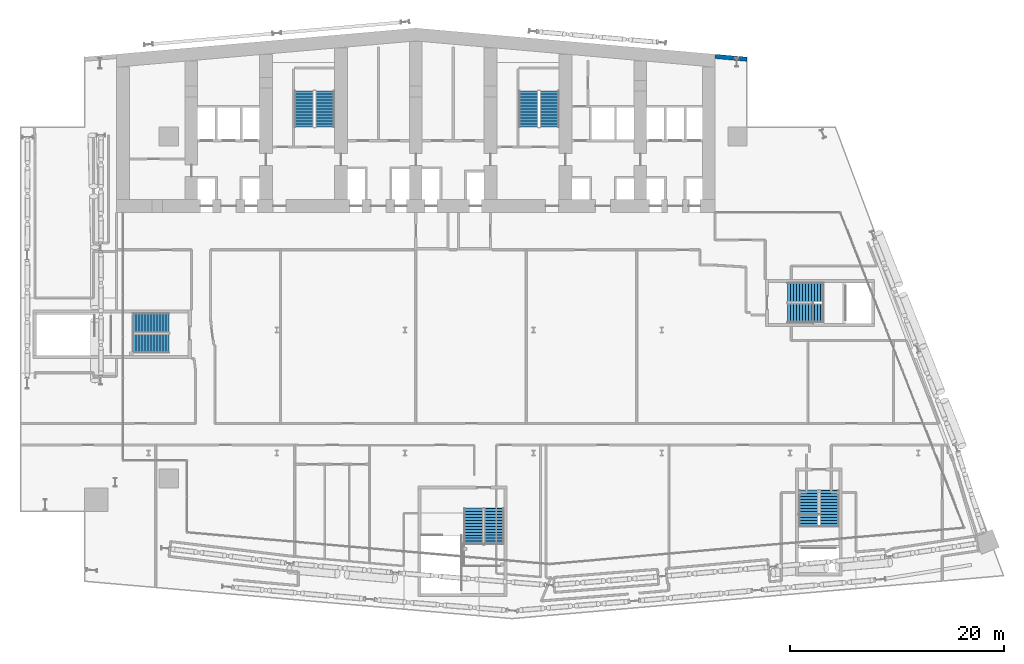
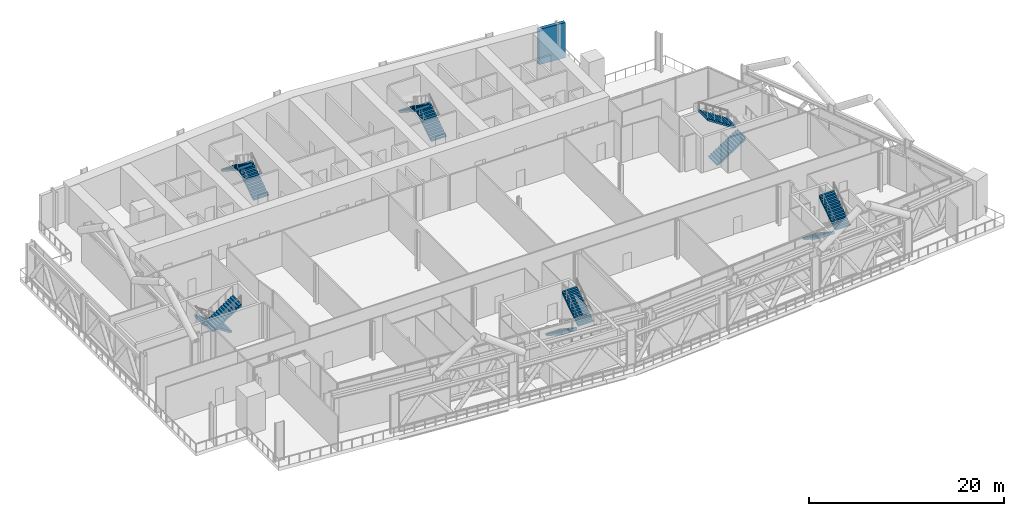
# One storey, part 23 of 39: 12 stair flights, 1 wall, 6 elements without a shape of their own.
"""IFC4 building model written with IfcOpenShell, lengths in metres."""

from ifc_helpers import new_model, si_unit, direction, frame, frame_2d, origin, place, context, subcontext, project, spatial, polyline, rectangle, outline, extrude, material, layer, layer_set, type_object, element, aggregate, save


model = new_model("IFC4")

# Units and contexts
model_context = context("Model", 3, precision=1e-05, world=origin(), true_north=direction((0.0, 1.0)))
body_context = subcontext(model_context, "Body", "Model", "MODEL_VIEW")
ifc_project = project(units=[si_unit("LENGTHUNIT", "METRE"), si_unit("AREAUNIT", "SQUARE_METRE"), si_unit("VOLUMEUNIT", "CUBIC_METRE"), si_unit("PLANEANGLEUNIT", "RADIAN"), si_unit("MASSUNIT", "GRAM", prefix="KILO")], contexts=[model_context])

# Site, building, storey
site_placement = place(None, origin())
site = spatial("IfcSite", under=ifc_project, at=site_placement, CompositionType="ELEMENT")
building_placement = place(site_placement, origin())
building = spatial("IfcBuilding", under=site, at=building_placement, Name="Wharfspan Tower", CompositionType="ELEMENT")
storey_placement = place(building_placement, frame((0.0, 0.0, 91.899902)))
storey = spatial("IfcBuildingStorey", under=building, at=storey_placement, Name="L20", CompositionType="ELEMENT", Elevation=91.899902)

# Wall
ifc_material = material(Name="Concrete C40/50", Category="concrete")
ifc_layer = layer(ifc_material, 0.399902)
ifc_layer_set = layer_set([ifc_layer], Name="Concrete C40/50")
wall_type = type_object("IfcWallType", Name="WALL EXPOSED CONCRETE 400", PredefinedType="SOLIDWALL", material=ifc_layer_set)
wall_placement = place(storey_placement, frame((67.982666, 48.325684, 0.0), z_axis=(0.0, 0.0, 1.0), x_axis=(-0.996194, 0.087168, 0.0)))
element("IfcWall", 1, at=wall_placement, inside=storey, type_object=wall_type, Name="Rear wall N2", PredefinedType="SOLIDWALL", context=body_context, shape_type="SweptSolid", body=[
    extrude(rectangle(XDim=2.994141, YDim=0.399902, at=frame_2d((1.49707, 0.0))), origin(), (0.0, 0.0, 1.0), 4.400146),
])

# Stair, stair flights
stair_type = type_object("IfcStairType", Name="Half-turn stair 26 risers 185 mm", PredefinedType="HALF_TURN_STAIR", material=ifc_material)
stair_1_placement = place(storey_placement, origin())
stair_1 = element("IfcStair", 2, at=stair_1_placement, inside=storey, type_object=stair_type, Name="L20 stair ST1", PredefinedType="HALF_TURN_STAIR")
stair_flight_type = type_object("IfcStairFlightType", Name="Stair flight 26 risers 185 mm", PredefinedType="STRAIGHT", material=ifc_material)
stair_flight_1_placement = place(storey_placement, frame((28.5, 42.0, 0.0), z_axis=(0.0, 0.0, 1.0), x_axis=(0.0, 1.0, 0.0)))
stair_flight_1 = element("IfcStairFlight", 3, at=stair_flight_1_placement, type_object=stair_flight_type, Name="ST1 flight 1", NumberOfRisers=13, NumberOfTreads=12, PredefinedType="STRAIGHT", RiserHeight=0.184615, TreadLength=0.28, context=body_context, shape_type="SweptSolid", body=[
    extrude(outline(polyline([(-0.011963, 0.0), (-0.011963, 0.18457), (0.0, 0.18457), (0.280029, 0.18457), (0.280029, 0.369141), (0.560059, 0.369141), (0.560059, 0.553955), (0.840088, 0.553955), (0.840088, 0.738525), (1.120117, 0.738525), (1.120117, 0.923096), (1.399902, 0.923096), (1.399902, 1.107666), (1.679932, 1.107666), (1.679932, 1.292236), (1.959961, 1.292236), (1.959961, 1.476807), (2.23999, 1.476807), (2.23999, 1.661621), (2.52002, 1.661621), (2.52002, 1.846191), (2.800049, 1.846191), (2.800049, 2.030762), (3.080078, 2.030762), (3.080078, 2.215332), (3.360107, 2.215332), (3.37207, 2.399902), (3.37207, 2.035889), (0.272217, 0.0), (-0.011963, 0.0)])), frame((0.0, 0.899902, 0.0), z_axis=(0.0, -1.0, 0.0), x_axis=(1.0, 0.0, 0.0)), (0.0, 0.0, 1.0), 1.800049),
])
stair_flight_2_placement = place(storey_placement, frame((26.550049, 45.360107, 2.400146), z_axis=(0.0, 0.0, 1.0), x_axis=(0.0, -1.0, 0.0)))
stair_flight_2 = element("IfcStairFlight", 4, at=stair_flight_2_placement, type_object=stair_flight_type, Name="ST1 flight 2", NumberOfRisers=13, NumberOfTreads=12, PredefinedType="STRAIGHT", RiserHeight=0.184615, TreadLength=0.28, context=body_context, shape_type="SweptSolid", body=[
    extrude(outline(polyline([(-0.011963, 0.0), (-0.011963, 0.18457), (0.0, 0.18457), (0.280029, 0.18457), (0.280029, 0.369141), (0.560059, 0.369141), (0.560059, 0.553955), (0.840088, 0.553955), (0.840088, 0.738525), (1.120117, 0.738525), (1.120117, 0.923096), (1.399902, 0.923096), (1.399902, 1.107666), (1.679932, 1.107666), (1.679932, 1.292236), (1.959961, 1.292236), (1.959961, 1.476807), (2.23999, 1.476807), (2.23999, 1.661621), (2.52002, 1.661621), (2.52002, 1.846191), (2.800049, 1.846191), (2.800049, 2.030762), (3.080078, 2.030762), (3.080078, 2.215332), (3.360107, 2.215332), (3.37207, 2.399902), (3.37207, 2.035889), (0.272217, 0.0), (-0.011963, 0.0)])), frame((0.0, 0.899902, 0.0), z_axis=(0.0, -1.0, 0.0), x_axis=(1.0, 0.0, 0.0)), (0.0, 0.0, 1.0), 1.800049),
])
aggregate(stair_1, [stair_flight_1, stair_flight_2])

stair_2_placement = place(storey_placement, origin())
stair_2 = element("IfcStair", 5, at=stair_2_placement, inside=storey, type_object=stair_type, Name="L20 stair ST2", PredefinedType="HALF_TURN_STAIR")
stair_flight_3_placement = place(storey_placement, frame((49.5, 42.0, 0.0), z_axis=(0.0, 0.0, 1.0), x_axis=(0.0, 1.0, 0.0)))
stair_flight_3 = element("IfcStairFlight", 6, at=stair_flight_3_placement, type_object=stair_flight_type, Name="ST2 flight 1", NumberOfRisers=13, NumberOfTreads=12, PredefinedType="STRAIGHT", RiserHeight=0.184615, TreadLength=0.28, context=body_context, shape_type="SweptSolid", body=[
    extrude(outline(polyline([(-0.011963, 0.0), (-0.011963, 0.18457), (0.0, 0.18457), (0.280029, 0.18457), (0.280029, 0.369141), (0.560059, 0.369141), (0.560059, 0.553955), (0.840088, 0.553955), (0.840088, 0.738525), (1.120117, 0.738525), (1.120117, 0.923096), (1.399902, 0.923096), (1.399902, 1.107666), (1.679932, 1.107666), (1.679932, 1.292236), (1.959961, 1.292236), (1.959961, 1.476807), (2.23999, 1.476807), (2.23999, 1.661621), (2.52002, 1.661621), (2.52002, 1.846191), (2.800049, 1.846191), (2.800049, 2.030762), (3.080078, 2.030762), (3.080078, 2.215332), (3.360107, 2.215332), (3.37207, 2.399902), (3.37207, 2.035889), (0.272217, 0.0), (-0.011963, 0.0)])), frame((0.0, 0.899902, 0.0), z_axis=(0.0, -1.0, 0.0), x_axis=(1.0, 0.0, 0.0)), (0.0, 0.0, 1.0), 1.800049),
])
stair_flight_4_placement = place(storey_placement, frame((47.550049, 45.360107, 2.400146), z_axis=(0.0, 0.0, 1.0), x_axis=(0.0, -1.0, 0.0)))
stair_flight_4 = element("IfcStairFlight", 7, at=stair_flight_4_placement, type_object=stair_flight_type, Name="ST2 flight 2", NumberOfRisers=13, NumberOfTreads=12, PredefinedType="STRAIGHT", RiserHeight=0.184615, TreadLength=0.28, context=body_context, shape_type="SweptSolid", body=[
    extrude(outline(polyline([(-0.011963, 0.0), (-0.011963, 0.18457), (0.0, 0.18457), (0.280029, 0.18457), (0.280029, 0.369141), (0.560059, 0.369141), (0.560059, 0.553955), (0.840088, 0.553955), (0.840088, 0.738525), (1.120117, 0.738525), (1.120117, 0.923096), (1.399902, 0.923096), (1.399902, 1.107666), (1.679932, 1.107666), (1.679932, 1.292236), (1.959961, 1.292236), (1.959961, 1.476807), (2.23999, 1.476807), (2.23999, 1.661621), (2.52002, 1.661621), (2.52002, 1.846191), (2.800049, 1.846191), (2.800049, 2.030762), (3.080078, 2.030762), (3.080078, 2.215332), (3.360107, 2.215332), (3.37207, 2.399902), (3.37207, 2.035889), (0.272217, 0.0), (-0.011963, 0.0)])), frame((0.0, 0.899902, 0.0), z_axis=(0.0, -1.0, 0.0), x_axis=(1.0, 0.0, 0.0)), (0.0, 0.0, 1.0), 1.800049),
])
aggregate(stair_2, [stair_flight_3, stair_flight_4])

stair_3_placement = place(storey_placement, origin())
stair_3 = element("IfcStair", 8, at=stair_3_placement, inside=storey, type_object=stair_type, Name="L20 stair ST3", PredefinedType="HALF_TURN_STAIR")
stair_flight_5_placement = place(storey_placement, frame((13.899902, 23.675049, 0.0), z_axis=(0.0, 0.0, 1.0), x_axis=(-1.0, 0.0, 0.0)))
stair_flight_5 = element("IfcStairFlight", 9, at=stair_flight_5_placement, type_object=stair_flight_type, Name="ST3 flight 1", NumberOfRisers=13, NumberOfTreads=12, PredefinedType="STRAIGHT", RiserHeight=0.184615, TreadLength=0.28, context=body_context, shape_type="SweptSolid", body=[
    extrude(outline(polyline([(-0.011963, 0.0), (-0.011963, 0.18457), (0.0, 0.18457), (0.280029, 0.18457), (0.280029, 0.369141), (0.560059, 0.369141), (0.560059, 0.553955), (0.840088, 0.553955), (0.840088, 0.738525), (1.120117, 0.738525), (1.120117, 0.923096), (1.399902, 0.923096), (1.399902, 1.107666), (1.679932, 1.107666), (1.679932, 1.292236), (1.959961, 1.292236), (1.959961, 1.476807), (2.23999, 1.476807), (2.23999, 1.661621), (2.52002, 1.661621), (2.52002, 1.846191), (2.800049, 1.846191), (2.800049, 2.030762), (3.080078, 2.030762), (3.080078, 2.215332), (3.360107, 2.215332), (3.37207, 2.399902), (3.37207, 2.035889), (0.272217, 0.0), (-0.011963, 0.0)])), frame((0.0, 0.899902, 0.0), z_axis=(0.0, -1.0, 0.0), x_axis=(1.0, 0.0, 0.0)), (0.0, 0.0, 1.0), 1.800049),
])
stair_flight_6_placement = place(storey_placement, frame((10.540039, 21.725098, 2.400146), z_axis=(0.0, 0.0, 1.0), x_axis=(1.0, 0.0, 0.0)))
stair_flight_6 = element("IfcStairFlight", 10, at=stair_flight_6_placement, type_object=stair_flight_type, Name="ST3 flight 2", NumberOfRisers=13, NumberOfTreads=12, PredefinedType="STRAIGHT", RiserHeight=0.184615, TreadLength=0.28, context=body_context, shape_type="SweptSolid", body=[
    extrude(outline(polyline([(-0.011963, 0.0), (-0.011963, 0.18457), (0.0, 0.18457), (0.280029, 0.18457), (0.280029, 0.369141), (0.560059, 0.369141), (0.560059, 0.553955), (0.840088, 0.553955), (0.840088, 0.738525), (1.120117, 0.738525), (1.120117, 0.923096), (1.399902, 0.923096), (1.399902, 1.107666), (1.679932, 1.107666), (1.679932, 1.292236), (1.959961, 1.292236), (1.959961, 1.476807), (2.23999, 1.476807), (2.23999, 1.661621), (2.52002, 1.661621), (2.52002, 1.846191), (2.800049, 1.846191), (2.800049, 2.030762), (3.080078, 2.030762), (3.080078, 2.215332), (3.360107, 2.215332), (3.37207, 2.399902), (3.37207, 2.035889), (0.272217, 0.0), (-0.011963, 0.0)])), frame((0.0, 0.899902, 0.0), z_axis=(0.0, -1.0, 0.0), x_axis=(1.0, 0.0, 0.0)), (0.0, 0.0, 1.0), 1.800049),
])
aggregate(stair_3, [stair_flight_5, stair_flight_6])

stair_4_placement = place(storey_placement, origin())
stair_4 = element("IfcStair", 11, at=stair_4_placement, inside=storey, type_object=stair_type, Name="L20 stair ST4", PredefinedType="HALF_TURN_STAIR")
stair_flight_7_placement = place(storey_placement, frame((42.385254, 6.316895, 0.0), z_axis=(0.0, 0.0, 1.0), x_axis=(0.0, -1.0, 0.0)))
stair_flight_7 = element("IfcStairFlight", 12, at=stair_flight_7_placement, type_object=stair_flight_type, Name="ST4 flight 1", NumberOfRisers=13, NumberOfTreads=12, PredefinedType="STRAIGHT", RiserHeight=0.184615, TreadLength=0.28, context=body_context, shape_type="SweptSolid", body=[
    extrude(outline(polyline([(-0.011963, 0.0), (-0.011963, 0.18457), (0.0, 0.18457), (0.280029, 0.18457), (0.280029, 0.369141), (0.560059, 0.369141), (0.560059, 0.553955), (0.840088, 0.553955), (0.840088, 0.738525), (1.120117, 0.738525), (1.120117, 0.923096), (1.399902, 0.923096), (1.399902, 1.107666), (1.679932, 1.107666), (1.679932, 1.292236), (1.959961, 1.292236), (1.959961, 1.476807), (2.23999, 1.476807), (2.23999, 1.661621), (2.52002, 1.661621), (2.52002, 1.846191), (2.800049, 1.846191), (2.800049, 2.030762), (3.080078, 2.030762), (3.080078, 2.215332), (3.360107, 2.215332), (3.37207, 2.399902), (3.37207, 2.035889), (0.272217, 0.0), (-0.011963, 0.0)])), frame((0.0, 0.899902, 0.0), z_axis=(0.0, -1.0, 0.0), x_axis=(1.0, 0.0, 0.0)), (0.0, 0.0, 1.0), 1.800049),
])
stair_flight_8_placement = place(storey_placement, frame((44.335205, 2.957031, 2.400146), z_axis=(0.0, 0.0, 1.0), x_axis=(0.0, 1.0, 0.0)))
stair_flight_8 = element("IfcStairFlight", 13, at=stair_flight_8_placement, type_object=stair_flight_type, Name="ST4 flight 2", NumberOfRisers=13, NumberOfTreads=12, PredefinedType="STRAIGHT", RiserHeight=0.184615, TreadLength=0.28, context=body_context, shape_type="SweptSolid", body=[
    extrude(outline(polyline([(-0.011963, 0.0), (-0.011963, 0.18457), (0.0, 0.18457), (0.280029, 0.18457), (0.280029, 0.369141), (0.560059, 0.369141), (0.560059, 0.553955), (0.840088, 0.553955), (0.840088, 0.738525), (1.120117, 0.738525), (1.120117, 0.923096), (1.399902, 0.923096), (1.399902, 1.107666), (1.679932, 1.107666), (1.679932, 1.292236), (1.959961, 1.292236), (1.959961, 1.476807), (2.23999, 1.476807), (2.23999, 1.661621), (2.52002, 1.661621), (2.52002, 1.846191), (2.800049, 1.846191), (2.800049, 2.030762), (3.080078, 2.030762), (3.080078, 2.215332), (3.360107, 2.215332), (3.37207, 2.399902), (3.37207, 2.035889), (0.272217, 0.0), (-0.011963, 0.0)])), frame((0.0, 0.899902, 0.0), z_axis=(0.0, -1.0, 0.0), x_axis=(1.0, 0.0, 0.0)), (0.0, 0.0, 1.0), 1.800049),
])
aggregate(stair_4, [stair_flight_7, stair_flight_8])

stair_5_placement = place(storey_placement, origin())
stair_5 = element("IfcStair", 14, at=stair_5_placement, inside=storey, type_object=stair_type, Name="L20 stair ST5", PredefinedType="HALF_TURN_STAIR")
stair_flight_9_placement = place(storey_placement, frame((73.740967, 7.994629, 0.0), z_axis=(0.0, 0.0, 1.0), x_axis=(0.0, -1.0, 0.0)))
stair_flight_9 = element("IfcStairFlight", 15, at=stair_flight_9_placement, type_object=stair_flight_type, Name="ST5 flight 1", NumberOfRisers=13, NumberOfTreads=12, PredefinedType="STRAIGHT", RiserHeight=0.184615, TreadLength=0.28, context=body_context, shape_type="SweptSolid", body=[
    extrude(outline(polyline([(-0.011963, 0.0), (-0.011963, 0.18457), (0.0, 0.18457), (0.280029, 0.18457), (0.280029, 0.369141), (0.560059, 0.369141), (0.560059, 0.553955), (0.840088, 0.553955), (0.840088, 0.738525), (1.120117, 0.738525), (1.120117, 0.923096), (1.399902, 0.923096), (1.399902, 1.107666), (1.679932, 1.107666), (1.679932, 1.292236), (1.959961, 1.292236), (1.959961, 1.476807), (2.23999, 1.476807), (2.23999, 1.661621), (2.52002, 1.661621), (2.52002, 1.846191), (2.800049, 1.846191), (2.800049, 2.030762), (3.080078, 2.030762), (3.080078, 2.215332), (3.360107, 2.215332), (3.37207, 2.399902), (3.37207, 2.035889), (0.272217, 0.0), (-0.011963, 0.0)])), frame((0.0, 0.899902, 0.0), z_axis=(0.0, -1.0, 0.0), x_axis=(1.0, 0.0, 0.0)), (0.0, 0.0, 1.0), 1.800049),
])
stair_flight_10_placement = place(storey_placement, frame((75.690918, 4.634766, 2.400146), z_axis=(0.0, 0.0, 1.0), x_axis=(0.0, 1.0, 0.0)))
stair_flight_10 = element("IfcStairFlight", 16, at=stair_flight_10_placement, type_object=stair_flight_type, Name="ST5 flight 2", NumberOfRisers=13, NumberOfTreads=12, PredefinedType="STRAIGHT", RiserHeight=0.184615, TreadLength=0.28, context=body_context, shape_type="SweptSolid", body=[
    extrude(outline(polyline([(-0.011963, 0.0), (-0.011963, 0.18457), (0.0, 0.18457), (0.280029, 0.18457), (0.280029, 0.369141), (0.560059, 0.369141), (0.560059, 0.553955), (0.840088, 0.553955), (0.840088, 0.738525), (1.120117, 0.738525), (1.120117, 0.923096), (1.399902, 0.923096), (1.399902, 1.107666), (1.679932, 1.107666), (1.679932, 1.292236), (1.959961, 1.292236), (1.959961, 1.476807), (2.23999, 1.476807), (2.23999, 1.661621), (2.52002, 1.661621), (2.52002, 1.846191), (2.800049, 1.846191), (2.800049, 2.030762), (3.080078, 2.030762), (3.080078, 2.215332), (3.360107, 2.215332), (3.37207, 2.399902), (3.37207, 2.035889), (0.272217, 0.0), (-0.011963, 0.0)])), frame((0.0, 0.899902, 0.0), z_axis=(0.0, -1.0, 0.0), x_axis=(1.0, 0.0, 0.0)), (0.0, 0.0, 1.0), 1.800049),
])
aggregate(stair_5, [stair_flight_9, stair_flight_10])

stair_6_placement = place(storey_placement, origin())
stair_6 = element("IfcStair", 17, at=stair_6_placement, inside=storey, type_object=stair_type, Name="L20 stair ST6", PredefinedType="HALF_TURN_STAIR")
stair_flight_11_placement = place(storey_placement, frame((71.790283, 24.574951, 0.0), z_axis=(0.0, 0.0, 1.0), x_axis=(1.0, 0.0, 0.0)))
stair_flight_11 = element("IfcStairFlight", 18, at=stair_flight_11_placement, type_object=stair_flight_type, Name="ST6 flight 1", NumberOfRisers=13, NumberOfTreads=12, PredefinedType="STRAIGHT", RiserHeight=0.184615, TreadLength=0.28, context=body_context, shape_type="SweptSolid", body=[
    extrude(outline(polyline([(-0.011963, 0.0), (-0.011963, 0.18457), (0.0, 0.18457), (0.280029, 0.18457), (0.280029, 0.369141), (0.560059, 0.369141), (0.560059, 0.553955), (0.840088, 0.553955), (0.840088, 0.738525), (1.120117, 0.738525), (1.120117, 0.923096), (1.399902, 0.923096), (1.399902, 1.107666), (1.679932, 1.107666), (1.679932, 1.292236), (1.959961, 1.292236), (1.959961, 1.476807), (2.23999, 1.476807), (2.23999, 1.661621), (2.52002, 1.661621), (2.52002, 1.846191), (2.800049, 1.846191), (2.800049, 2.030762), (3.080078, 2.030762), (3.080078, 2.215332), (3.360107, 2.215332), (3.37207, 2.399902), (3.37207, 2.035889), (0.272217, 0.0), (-0.011963, 0.0)])), frame((0.0, 0.899902, 0.0), z_axis=(0.0, -1.0, 0.0), x_axis=(1.0, 0.0, 0.0)), (0.0, 0.0, 1.0), 1.800049),
])
stair_flight_12_placement = place(storey_placement, frame((75.150391, 26.524902, 2.400146), z_axis=(0.0, 0.0, 1.0), x_axis=(-1.0, 0.0, 0.0)))
stair_flight_12 = element("IfcStairFlight", 19, at=stair_flight_12_placement, type_object=stair_flight_type, Name="ST6 flight 2", NumberOfRisers=13, NumberOfTreads=12, PredefinedType="STRAIGHT", RiserHeight=0.184615, TreadLength=0.28, context=body_context, shape_type="SweptSolid", body=[
    extrude(outline(polyline([(-0.011963, 0.0), (-0.011963, 0.18457), (0.0, 0.18457), (0.280029, 0.18457), (0.280029, 0.369141), (0.560059, 0.369141), (0.560059, 0.553955), (0.840088, 0.553955), (0.840088, 0.738525), (1.120117, 0.738525), (1.120117, 0.923096), (1.399902, 0.923096), (1.399902, 1.107666), (1.679932, 1.107666), (1.679932, 1.292236), (1.959961, 1.292236), (1.959961, 1.476807), (2.23999, 1.476807), (2.23999, 1.661621), (2.52002, 1.661621), (2.52002, 1.846191), (2.800049, 1.846191), (2.800049, 2.030762), (3.080078, 2.030762), (3.080078, 2.215332), (3.360107, 2.215332), (3.37207, 2.399902), (3.37207, 2.035889), (0.272217, 0.0), (-0.011963, 0.0)])), frame((0.0, 0.899902, 0.0), z_axis=(0.0, -1.0, 0.0), x_axis=(1.0, 0.0, 0.0)), (0.0, 0.0, 1.0), 1.800049),
])
aggregate(stair_6, [stair_flight_11, stair_flight_12])

save(model, "model.ifc")
